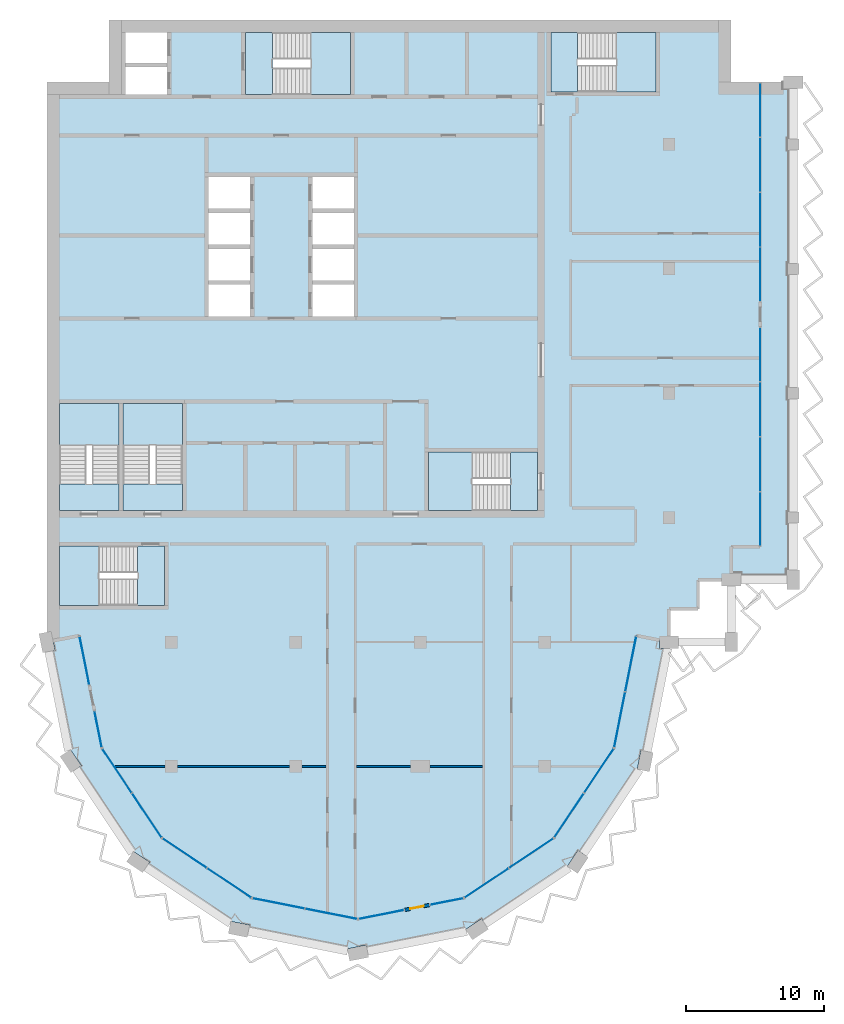
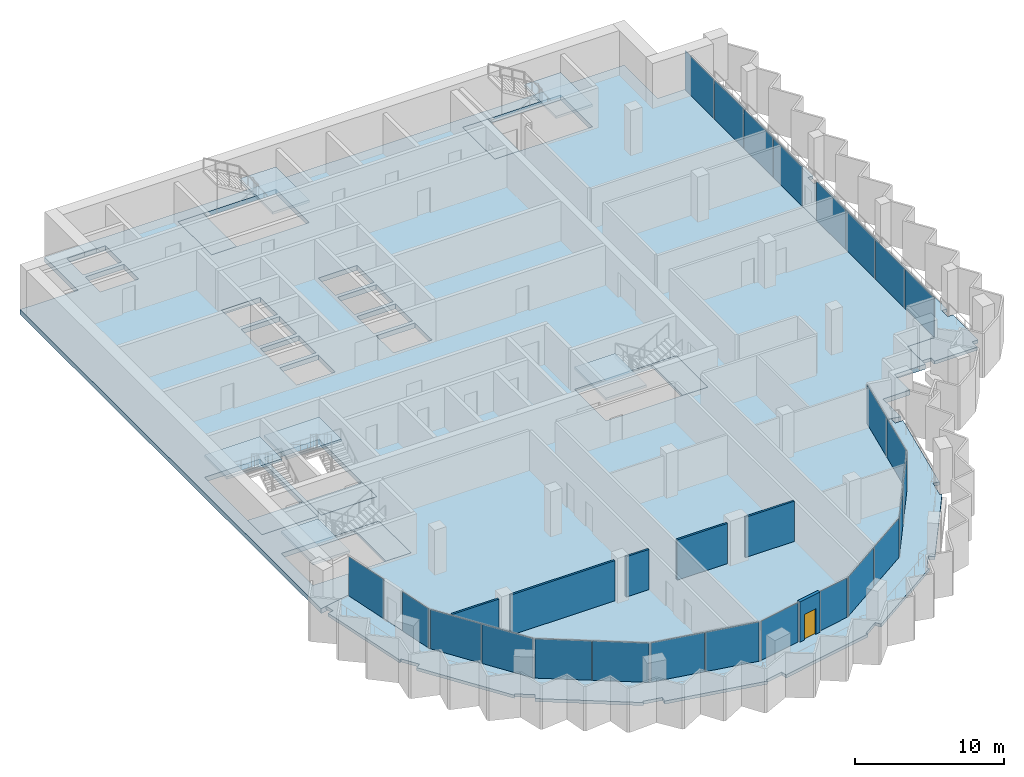
# One storey, part 6 of 14: 24 plates, 15 slabs, 6 walls, 1 door, 1 opening, 18 elements without a shape of their own.
"""IFC4 building model written with IfcOpenShell, lengths in metres."""

from ifc_helpers import new_model, si_unit, direction, frame, frame_2d, origin, origin_2d, place, context, subcontext, project, spatial, polyline, rectangle, outline, extrude, material, layer, layer_set, type_object, element, fill, aggregate, save


model = new_model("IFC4")

# Units and contexts
model_context = context("Model", 3, precision=1e-05, world=origin(), true_north=direction((0.0, 1.0)))
body_context = subcontext(model_context, "Body", "Model", "MODEL_VIEW")
ifc_project = project(units=[si_unit("LENGTHUNIT", "METRE"), si_unit("AREAUNIT", "SQUARE_METRE"), si_unit("VOLUMEUNIT", "CUBIC_METRE"), si_unit("PLANEANGLEUNIT", "RADIAN"), si_unit("MASSUNIT", "GRAM", prefix="KILO")], contexts=[model_context])

# Site, building, storey
site_placement = place(None, origin())
site = spatial("IfcSite", under=ifc_project, at=site_placement, CompositionType="ELEMENT")
building_placement = place(site_placement, origin())
building = spatial("IfcBuilding", under=site, at=building_placement, Name="Hunhe Ridgeline Campus", CompositionType="ELEMENT")
storey_placement = place(building_placement, frame((0.0, 0.0, 288.199951171875)))
storey = spatial("IfcBuildingStorey", under=building, at=storey_placement, Name="L74", CompositionType="ELEMENT", Elevation=288.199951171875)

# Curtain wall, plate
ifc_material_1 = material(Name="Aluminium 6063", Category="aluminium")
curtain_wall_type_1 = type_object("IfcCurtainWallType", Name="Curtain wall CW-5", PredefinedType="NOTDEFINED", material=ifc_material_1)
curtain_wall_1_placement = place(storey_placement, origin())
curtain_wall_1 = element("IfcCurtainWall", 1, at=curtain_wall_1_placement, inside=storey, type_object=curtain_wall_type_1, Name="Curtain wall 01", PredefinedType="NOTDEFINED")
ifc_material_2 = material(Name="Low-e laminated glass", Category="glass")
ifc_layer_1 = layer(ifc_material_2, 0.028076171875)
ifc_layer_set_1 = layer_set([ifc_layer_1], Name="Curtain wall glass panel 28 low-e laminated")
plate_type = type_object("IfcPlateType", Name="Curtain wall glass panel 28 low-e laminated", PredefinedType="CURTAIN_PANEL", material=ifc_layer_set_1)
plate_1_placement = place(storey_placement, frame((2.7158203125, 52.65380859375, 0.0), z_axis=(0.0, 0.0, 1.0), x_axis=(0.195095326561, -0.980784284924, 0.0)))
plate_1 = element("IfcPlate", 2, at=plate_1_placement, type_object=plate_type, Name="CW-5 panel 1", PredefinedType="CURTAIN_PANEL", context=body_context, shape_type="SweptSolid", body=[
    extrude(rectangle(XDim=3.560791015625, YDim=0.028076171875, at=origin_2d()), origin(), (0.0, 0.0, 1.0), 3.22998046875),
])
aggregate(curtain_wall_1, [plate_1])

curtain_wall_2_placement = place(storey_placement, origin())
curtain_wall_2 = element("IfcCurtainWall", 3, at=curtain_wall_2_placement, inside=storey, type_object=curtain_wall_type_1, Name="Curtain wall 02", PredefinedType="NOTDEFINED")
plate_2_placement = place(storey_placement, frame((3.701171875, 47.699951171875, 0.0), z_axis=(0.0, 0.0, 1.0), x_axis=(0.195095265587, -0.980784297053, 0.0)))
plate_2 = element("IfcPlate", 4, at=plate_2_placement, type_object=plate_type, Name="CW-5 panel 1", PredefinedType="CURTAIN_PANEL", context=body_context, shape_type="SweptSolid", body=[
    extrude(rectangle(XDim=2.660888671875, YDim=0.028076171875, at=origin_2d()), origin(), (0.0, 0.0, 1.0), 3.22998046875),
])
aggregate(curtain_wall_2, [plate_2])

# Curtain wall, plates
curtain_wall_3_placement = place(storey_placement, origin())
curtain_wall_3 = element("IfcCurtainWall", 5, at=curtain_wall_3_placement, inside=storey, type_object=curtain_wall_type_1, Name="Curtain wall 03", PredefinedType="NOTDEFINED")
plate_3_placement = place(storey_placement, frame((5.07080078125, 44.685546875, 0.0), z_axis=(0.0, 0.0, 1.0), x_axis=(0.555570274596, -0.831469584522, 0.0)))
plate_3 = element("IfcPlate", 6, at=plate_3_placement, type_object=plate_type, Name="CW-5 panel 1", PredefinedType="CURTAIN_PANEL", context=body_context, shape_type="SweptSolid", body=[
    extrude(rectangle(XDim=3.806884765625, YDim=0.028076171875, at=origin_2d()), origin(), (0.0, 0.0, 1.0), 3.22998046875),
])
plate_4_placement = place(storey_placement, frame((7.224609375, 41.4619140625, 0.0), z_axis=(0.0, 0.0, 1.0), x_axis=(0.555570274596, -0.831469584522, 0.0)))
plate_4 = element("IfcPlate", 7, at=plate_4_placement, type_object=plate_type, Name="CW-5 panel 2", PredefinedType="CURTAIN_PANEL", context=body_context, shape_type="SweptSolid", body=[
    extrude(rectangle(XDim=3.806884765625, YDim=0.028076171875, at=origin_2d()), origin(), (0.0, 0.0, 1.0), 3.22998046875),
])
aggregate(curtain_wall_3, [plate_3, plate_4])

curtain_wall_4_placement = place(storey_placement, origin())
curtain_wall_4 = element("IfcCurtainWall", 8, at=curtain_wall_4_placement, inside=storey, type_object=curtain_wall_type_1, Name="Curtain wall 04", PredefinedType="NOTDEFINED")
plate_5_placement = place(storey_placement, frame((9.9619140625, 38.724609375, 0.0), z_axis=(0.0, 0.0, 1.0), x_axis=(0.831469584522, -0.555570274596, 0.0)))
plate_5 = element("IfcPlate", 9, at=plate_5_placement, type_object=plate_type, Name="CW-5 panel 1", PredefinedType="CURTAIN_PANEL", context=body_context, shape_type="SweptSolid", body=[
    extrude(rectangle(XDim=3.806884765625, YDim=0.028076171875, at=origin_2d()), origin(), (0.0, 0.0, 1.0), 3.22998046875),
])
plate_6_placement = place(storey_placement, frame((13.185546875, 36.57080078125, 0.0), z_axis=(0.0, 0.0, 1.0), x_axis=(0.831469584522, -0.555570274596, 0.0)))
plate_6 = element("IfcPlate", 10, at=plate_6_placement, type_object=plate_type, Name="CW-5 panel 2", PredefinedType="CURTAIN_PANEL", context=body_context, shape_type="SweptSolid", body=[
    extrude(rectangle(XDim=3.806884765625, YDim=0.028076171875, at=origin_2d()), origin(), (0.0, 0.0, 1.0), 3.22998046875),
])
aggregate(curtain_wall_4, [plate_5, plate_6])

curtain_wall_5_placement = place(storey_placement, origin())
curtain_wall_5 = element("IfcCurtainWall", 11, at=curtain_wall_5_placement, inside=storey, type_object=curtain_wall_type_1, Name="Curtain wall 05", PredefinedType="NOTDEFINED")
plate_7_placement = place(storey_placement, frame((16.761962890625, 35.08935546875, 0.0), z_axis=(0.0, 0.0, 1.0), x_axis=(0.980785275326, -0.195090347539, 0.0)))
plate_7 = element("IfcPlate", 12, at=plate_7_placement, type_object=plate_type, Name="CW-5 panel 1", PredefinedType="CURTAIN_PANEL", context=body_context, shape_type="SweptSolid", body=[
    extrude(rectangle(XDim=3.806884765625, YDim=0.028076171875, at=origin_2d()), origin(), (0.0, 0.0, 1.0), 3.22998046875),
])
plate_8_placement = place(storey_placement, frame((20.564453125, 34.3330078125, 0.0), z_axis=(0.0, 0.0, 1.0), x_axis=(0.980785275326, -0.195090347539, 0.0)))
plate_8 = element("IfcPlate", 13, at=plate_8_placement, type_object=plate_type, Name="CW-5 panel 2", PredefinedType="CURTAIN_PANEL", context=body_context, shape_type="SweptSolid", body=[
    extrude(rectangle(XDim=3.806884765625, YDim=0.028076171875, at=origin_2d()), origin(), (0.0, 0.0, 1.0), 3.22998046875),
])
aggregate(curtain_wall_5, [plate_7, plate_8])

# Curtain wall, plate
curtain_wall_6_placement = place(storey_placement, origin())
curtain_wall_6 = element("IfcCurtainWall", 14, at=curtain_wall_6_placement, inside=storey, type_object=curtain_wall_type_1, Name="Curtain wall 06", PredefinedType="NOTDEFINED")
plate_9_placement = place(storey_placement, frame((24.19775390625, 34.28564453125, 0.0), z_axis=(0.0, 0.0, 1.0), x_axis=(0.980785270791, 0.19509037034, 0.0)))
plate_9 = element("IfcPlate", 15, at=plate_9_placement, type_object=plate_type, Name="CW-5 panel 1", PredefinedType="CURTAIN_PANEL", context=body_context, shape_type="SweptSolid", body=[
    extrude(rectangle(XDim=3.322021484375, YDim=0.028076171875, at=origin_2d()), origin(), (0.0, 0.0, 1.0), 3.22998046875),
])
aggregate(curtain_wall_6, [plate_9])

curtain_wall_7_placement = place(storey_placement, origin())
curtain_wall_7 = element("IfcCurtainWall", 16, at=curtain_wall_7_placement, inside=storey, type_object=curtain_wall_type_1, Name="Curtain wall 07", PredefinedType="NOTDEFINED")
plate_10_placement = place(storey_placement, frame((28.917236328125, 35.224609375, 0.0), z_axis=(0.0, 0.0, 1.0), x_axis=(0.980785242091, 0.195090514627, 0.0)))
plate_10 = element("IfcPlate", 17, at=plate_10_placement, type_object=plate_type, Name="CW-5 panel 1", PredefinedType="CURTAIN_PANEL", context=body_context, shape_type="SweptSolid", body=[
    extrude(rectangle(XDim=2.421875, YDim=0.028076171875, at=origin_2d()), origin(), (0.0, 0.0, 1.0), 3.22998046875),
])
aggregate(curtain_wall_7, [plate_10])

# Curtain wall, plates
curtain_wall_8_placement = place(storey_placement, origin())
curtain_wall_8 = element("IfcCurtainWall", 18, at=curtain_wall_8_placement, inside=storey, type_object=curtain_wall_type_1, Name="Curtain wall 08", PredefinedType="NOTDEFINED")
plate_11_placement = place(storey_placement, frame((31.814453125, 36.57080078125, 0.0), z_axis=(0.0, 0.0, 1.0), x_axis=(0.831469584522, 0.555570274596, 0.0)))
plate_11 = element("IfcPlate", 19, at=plate_11_placement, type_object=plate_type, Name="CW-5 panel 1", PredefinedType="CURTAIN_PANEL", context=body_context, shape_type="SweptSolid", body=[
    extrude(rectangle(XDim=3.806884765625, YDim=0.028076171875, at=origin_2d()), origin(), (0.0, 0.0, 1.0), 3.22998046875),
])
plate_12_placement = place(storey_placement, frame((35.0380859375, 38.724609375, 0.0), z_axis=(0.0, 0.0, 1.0), x_axis=(0.831469584522, 0.555570274596, 0.0)))
plate_12 = element("IfcPlate", 20, at=plate_12_placement, type_object=plate_type, Name="CW-5 panel 2", PredefinedType="CURTAIN_PANEL", context=body_context, shape_type="SweptSolid", body=[
    extrude(rectangle(XDim=3.806884765625, YDim=0.028076171875, at=origin_2d()), origin(), (0.0, 0.0, 1.0), 3.22998046875),
])
aggregate(curtain_wall_8, [plate_11, plate_12])

curtain_wall_9_placement = place(storey_placement, origin())
curtain_wall_9 = element("IfcCurtainWall", 21, at=curtain_wall_9_placement, inside=storey, type_object=curtain_wall_type_1, Name="Curtain wall 09", PredefinedType="NOTDEFINED")
plate_13_placement = place(storey_placement, frame((37.775390625, 41.4619140625, 0.0), z_axis=(0.0, 0.0, 1.0), x_axis=(0.555570274596, 0.831469584522, 0.0)))
plate_13 = element("IfcPlate", 22, at=plate_13_placement, type_object=plate_type, Name="CW-5 panel 1", PredefinedType="CURTAIN_PANEL", context=body_context, shape_type="SweptSolid", body=[
    extrude(rectangle(XDim=3.806884765625, YDim=0.028076171875, at=origin_2d()), origin(), (0.0, 0.0, 1.0), 3.22998046875),
])
plate_14_placement = place(storey_placement, frame((39.92919921875, 44.685546875, 0.0), z_axis=(0.0, 0.0, 1.0), x_axis=(0.555570274596, 0.831469584522, 0.0)))
plate_14 = element("IfcPlate", 23, at=plate_14_placement, type_object=plate_type, Name="CW-5 panel 2", PredefinedType="CURTAIN_PANEL", context=body_context, shape_type="SweptSolid", body=[
    extrude(rectangle(XDim=3.806884765625, YDim=0.028076171875, at=origin_2d()), origin(), (0.0, 0.0, 1.0), 3.22998046875),
])
aggregate(curtain_wall_9, [plate_13, plate_14])

curtain_wall_10_placement = place(storey_placement, origin())
curtain_wall_10 = element("IfcCurtainWall", 24, at=curtain_wall_10_placement, inside=storey, type_object=curtain_wall_type_1, Name="Curtain wall 10", PredefinedType="NOTDEFINED")
plate_15_placement = place(storey_placement, frame((41.433837890625, 48.379150390625, 0.0), z_axis=(0.0, 0.0, 1.0), x_axis=(0.19510421996, 0.980782515828, 0.0)))
plate_15 = element("IfcPlate", 25, at=plate_15_placement, type_object=plate_type, Name="CW-5 panel 1", PredefinedType="CURTAIN_PANEL", context=body_context, shape_type="SweptSolid", body=[
    extrude(rectangle(XDim=4.0458984375, YDim=0.028076171875, at=origin_2d()), origin(), (0.0, 0.0, 1.0), 3.22998046875),
])
plate_16_placement = place(storey_placement, frame((42.237060546875, 52.416015625, 0.0), z_axis=(0.0, 0.0, 1.0), x_axis=(0.19510421996, 0.980782515828, 0.0)))
plate_16 = element("IfcPlate", 26, at=plate_16_placement, type_object=plate_type, Name="CW-5 panel 2", PredefinedType="CURTAIN_PANEL", context=body_context, shape_type="SweptSolid", body=[
    extrude(rectangle(XDim=4.0458984375, YDim=0.028076171875, at=origin_2d()), origin(), (0.0, 0.0, 1.0), 3.22998046875),
])
aggregate(curtain_wall_10, [plate_15, plate_16])

curtain_wall_type_2 = type_object("IfcCurtainWallType", Name="Curtain wall CW-1", PredefinedType="NOTDEFINED", material=ifc_material_1)
curtain_wall_11_placement = place(storey_placement, origin())
curtain_wall_11 = element("IfcCurtainWall", 27, at=curtain_wall_11_placement, inside=storey, type_object=curtain_wall_type_2, Name="Curtain wall 11", PredefinedType="NOTDEFINED")
plate_17_placement = place(storey_placement, frame((51.59912109375, 62.9033203125, 0.0), z_axis=(0.0, 0.0, 1.0), x_axis=(0.0, 1.0, 0.0)))
plate_17 = element("IfcPlate", 28, at=plate_17_placement, type_object=plate_type, Name="CW-1 panel 1", PredefinedType="CURTAIN_PANEL", context=body_context, shape_type="SweptSolid", body=[
    extrude(rectangle(XDim=3.884765625, YDim=0.028076171875, at=origin_2d()), origin(), (0.0, 0.0, 1.0), 3.239990234375),
])
plate_18_placement = place(storey_placement, frame((51.59912109375, 66.86328125, 0.0), z_axis=(0.0, 0.0, 1.0), x_axis=(0.0, 1.0, 0.0)))
plate_18 = element("IfcPlate", 29, at=plate_18_placement, type_object=plate_type, Name="CW-1 panel 2", PredefinedType="CURTAIN_PANEL", context=body_context, shape_type="SweptSolid", body=[
    extrude(rectangle(XDim=3.914794921875, YDim=0.028076171875, at=origin_2d()), origin(), (0.0, 0.0, 1.0), 3.239990234375),
])
plate_19_placement = place(storey_placement, frame((51.59912109375, 70.838134765625, 0.0), z_axis=(0.0, 0.0, 1.0), x_axis=(0.0, 1.0, 0.0)))
plate_19 = element("IfcPlate", 30, at=plate_19_placement, type_object=plate_type, Name="CW-1 panel 3", PredefinedType="CURTAIN_PANEL", context=body_context, shape_type="SweptSolid", body=[
    extrude(rectangle(XDim=3.914794921875, YDim=0.028076171875, at=origin_2d()), origin(), (0.0, 0.0, 1.0), 3.239990234375),
])
plate_20_placement = place(storey_placement, frame((51.59912109375, 74.798095703125, 0.0), z_axis=(0.0, 0.0, 1.0), x_axis=(0.0, 1.0, 0.0)))
plate_20 = element("IfcPlate", 31, at=plate_20_placement, type_object=plate_type, Name="CW-1 panel 4", PredefinedType="CURTAIN_PANEL", context=body_context, shape_type="SweptSolid", body=[
    extrude(rectangle(XDim=3.884765625, YDim=0.028076171875, at=origin_2d()), origin(), (0.0, 0.0, 1.0), 3.239990234375),
])
aggregate(curtain_wall_11, [plate_17, plate_18, plate_19, plate_20])

curtain_wall_12_placement = place(storey_placement, origin())
curtain_wall_12 = element("IfcCurtainWall", 32, at=curtain_wall_12_placement, inside=storey, type_object=curtain_wall_type_2, Name="Curtain wall 12", PredefinedType="NOTDEFINED")
plate_21_placement = place(storey_placement, frame((51.59912109375, 80.60302734375, 0.0), z_axis=(0.0, 0.0, 1.0), x_axis=(0.0, 1.0, 0.0)))
plate_21 = element("IfcPlate", 33, at=plate_21_placement, type_object=plate_type, Name="CW-1 panel 1", PredefinedType="CURTAIN_PANEL", context=body_context, shape_type="SweptSolid", body=[
    extrude(rectangle(XDim=3.884765625, YDim=0.028076171875, at=origin_2d()), origin(), (0.0, 0.0, 1.0), 3.239990234375),
])
plate_22_placement = place(storey_placement, frame((51.59912109375, 84.562744140625, 0.0), z_axis=(0.0, 0.0, 1.0), x_axis=(0.0, 1.0, 0.0)))
plate_22 = element("IfcPlate", 34, at=plate_22_placement, type_object=plate_type, Name="CW-1 panel 2", PredefinedType="CURTAIN_PANEL", context=body_context, shape_type="SweptSolid", body=[
    extrude(rectangle(XDim=3.914794921875, YDim=0.028076171875, at=origin_2d()), origin(), (0.0, 0.0, 1.0), 3.239990234375),
])
plate_23_placement = place(storey_placement, frame((51.59912109375, 88.53759765625, 0.0), z_axis=(0.0, 0.0, 1.0), x_axis=(0.0, 1.0, 0.0)))
plate_23 = element("IfcPlate", 35, at=plate_23_placement, type_object=plate_type, Name="CW-1 panel 3", PredefinedType="CURTAIN_PANEL", context=body_context, shape_type="SweptSolid", body=[
    extrude(rectangle(XDim=3.914794921875, YDim=0.028076171875, at=origin_2d()), origin(), (0.0, 0.0, 1.0), 3.239990234375),
])
plate_24_placement = place(storey_placement, frame((51.59912109375, 92.49755859375, 0.0), z_axis=(0.0, 0.0, 1.0), x_axis=(0.0, 1.0, 0.0)))
plate_24 = element("IfcPlate", 36, at=plate_24_placement, type_object=plate_type, Name="CW-1 panel 4", PredefinedType="CURTAIN_PANEL", context=body_context, shape_type="SweptSolid", body=[
    extrude(rectangle(XDim=3.884765625, YDim=0.028076171875, at=origin_2d()), origin(), (0.0, 0.0, 1.0), 3.239990234375),
])
aggregate(curtain_wall_12, [plate_21, plate_22, plate_23, plate_24])

# Slabs
ifc_material_3 = material(Name="Concrete C40", Category="concrete")
ifc_layer_2 = layer(ifc_material_3, 0.39990234375)
ifc_layer_set_2 = layer_set([ifc_layer_2], Name="Floor slab 400 Concrete C40")
slab_type_1 = type_object("IfcSlabType", Name="Floor slab 400 Concrete C40", PredefinedType="FLOOR", material=ifc_layer_set_2)
slab_1_placement = place(storey_placement, frame((0.0, 0.0, -0.39990234375)))
element("IfcSlab", 37, at=slab_1_placement, inside=storey, type_object=slab_type_1, Name="Floor slab L74 1", PredefinedType="FLOOR", context=body_context, shape_type="SweptSolid", body=[
    extrude(outline(polyline([(36.678955078125, 39.821044921875), (41.025634765625, 46.326416015625), (42.645263671875, 54.46875), (44.9990234375, 54.001220703125), (44.999267578125, 56.400634765625), (47.09912109375, 56.40087890625), (47.099609375, 58.5009765625), (49.4990234375, 58.5009765625), (49.49951171875, 60.90087890625), (51.59912109375, 60.90087890625), (51.59912109375, 94.5), (49.5, 94.5), (49.5, 99.0), (4.5, 99.0), (4.5, 94.5), (0.0, 94.5), (0.0, 54.0009765625), (2.354736328125, 54.46875), (3.974365234375, 46.326416015625), (8.321044921875, 39.821044921875), (14.826416015625, 35.474365234375), (22.5, 33.947998046875), (30.173583984375, 35.474365234375), (36.678955078125, 39.821044921875)]), holes=[polyline([(44.050048828125, 98.10009765625), (36.449951171875, 98.10009765625), (36.449951171875, 93.800048828125), (44.050048828125, 93.800048828125), (44.050048828125, 98.10009765625)]), polyline([(27.60009765625, 67.75), (27.60009765625, 63.5), (35.5, 63.5), (35.5, 67.75), (27.60009765625, 67.75)]), polyline([(22.199951171875, 85.35009765625), (22.199951171875, 87.64990234375), (19.199951171875, 87.64990234375), (19.199951171875, 85.35009765625), (22.199951171875, 85.35009765625)]), polyline([(22.199951171875, 85.050048828125), (19.199951171875, 85.050048828125), (19.199951171875, 82.75), (22.199951171875, 82.75), (22.199951171875, 85.050048828125)]), polyline([(19.199951171875, 82.449951171875), (19.199951171875, 80.14990234375), (22.199951171875, 80.14990234375), (22.199951171875, 82.449951171875), (19.199951171875, 82.449951171875)]), polyline([(19.199951171875, 77.550048828125), (22.199951171875, 77.550048828125), (22.199951171875, 79.85009765625), (19.199951171875, 79.85009765625), (19.199951171875, 77.550048828125)]), polyline([(21.949951171875, 98.10009765625), (14.35009765625, 98.10009765625), (14.35009765625, 93.60009765625), (21.949951171875, 93.60009765625), (21.949951171875, 98.10009765625)]), polyline([(14.699951171875, 85.35009765625), (14.699951171875, 87.64990234375), (11.699951171875, 87.64990234375), (11.699951171875, 85.35009765625), (14.699951171875, 85.35009765625)]), polyline([(14.699951171875, 85.050048828125), (11.699951171875, 85.050048828125), (11.699951171875, 82.75), (14.699951171875, 82.75), (14.699951171875, 85.050048828125)]), polyline([(11.699951171875, 82.449951171875), (11.699951171875, 80.14990234375), (14.699951171875, 80.14990234375), (14.699951171875, 82.449951171875), (11.699951171875, 82.449951171875)]), polyline([(11.699951171875, 77.550048828125), (14.699951171875, 77.550048828125), (14.699951171875, 79.85009765625), (11.699951171875, 79.85009765625), (11.699951171875, 77.550048828125)]), polyline([(5.5, 63.5), (9.800048828125, 63.5), (9.800048828125, 71.25), (5.5, 71.25), (5.5, 63.5)]), polyline([(5.699951171875, 98.10009765625), (5.699951171875, 95.89990234375), (8.699951171875, 95.89990234375), (8.699951171875, 98.10009765625), (5.699951171875, 98.10009765625)]), polyline([(5.699951171875, 93.60009765625), (8.699951171875, 93.60009765625), (8.699951171875, 95.60009765625), (5.699951171875, 95.60009765625), (5.699951171875, 93.60009765625)]), polyline([(0.89990234375, 60.949951171875), (0.89990234375, 56.64990234375), (8.5, 56.64990234375), (8.5, 60.949951171875), (0.89990234375, 60.949951171875)]), polyline([(5.199951171875, 63.5), (5.199951171875, 71.25), (0.89990234375, 71.25), (0.89990234375, 63.5), (5.199951171875, 63.5)])]), origin(), (0.0, 0.0, 1.0), 0.39990234375),
])
ifc_layer_3 = layer(ifc_material_3, 0.25)
ifc_layer_set_3 = layer_set([ifc_layer_3], Name="Loggia slab 250 Concrete C40")
slab_type_2 = type_object("IfcSlabType", Name="Loggia slab 250 Concrete C40", PredefinedType="FLOOR", material=ifc_layer_set_3)
slab_2_placement = place(storey_placement, frame((0.0, 0.0, -0.25)))
element("IfcSlab", 38, at=slab_2_placement, inside=storey, type_object=slab_type_2, Name="Loggia slab 1", PredefinedType="FLOOR", context=body_context, shape_type="SweptSolid", body=[
    extrude(outline(polyline([(30.173828125, 35.473388671875), (22.5, 33.947021484375), (14.826171875, 35.473388671875), (8.3203125, 39.8203125), (3.973388671875, 46.326171875), (2.35400390625, 54.46826171875), (0.44140625, 54.087890625), (0.577880859375, 53.401123046875), (0.136474609375, 53.3134765625), (1.56494140625, 46.1328125), (1.697998046875, 46.2216796875), (2.475830078125, 45.0576171875), (2.1015625, 44.8076171875), (6.169189453125, 38.719970703125), (6.258056640625, 38.853271484375), (7.422119140625, 38.075439453125), (7.172119140625, 37.701171875), (13.259521484375, 33.633544921875), (13.290771484375, 33.79052734375), (14.6640625, 33.517578125), (14.576171875, 33.076171875), (21.7568359375, 31.647705078125), (21.7255859375, 31.8046875), (23.098876953125, 32.077880859375), (23.1865234375, 31.636474609375), (30.3671875, 33.06494140625), (30.2783203125, 33.197998046875), (31.4423828125, 33.975830078125), (31.6923828125, 33.6015625), (37.780029296875, 37.669189453125), (37.646728515625, 37.758056640625), (38.424560546875, 38.922119140625), (38.798828125, 38.672119140625), (42.866455078125, 44.759521484375), (42.70947265625, 44.790771484375), (42.982421875, 46.1640625), (43.423828125, 46.076171875), (44.910400390625, 53.550048828125), (44.300048828125, 53.550048828125), (44.300048828125, 54.13916015625), (42.64599609375, 54.46826171875), (41.026611328125, 46.326171875), (36.6796875, 39.8203125), (30.173828125, 35.473388671875)])), origin(), (0.0, 0.0, 1.0), 0.25),
])
slab_3_placement = place(storey_placement, frame((0.0, 0.0, -0.25)))
element("IfcSlab", 39, at=slab_3_placement, inside=storey, type_object=slab_type_2, Name="Loggia slab 2", PredefinedType="FLOOR", context=body_context, shape_type="SweptSolid", body=[
    extrude(outline(polyline([(49.5, 58.949951171875), (50.199951171875, 58.949951171875), (50.199951171875, 58.5), (53.550048828125, 58.5), (53.550048828125, 59.199951171875), (54.0, 59.199951171875), (54.0, 62.60009765625), (53.60009765625, 62.60009765625), (53.60009765625, 63.39990234375), (54.0, 63.39990234375), (54.0, 71.60009765625), (53.60009765625, 71.60009765625), (53.60009765625, 72.39990234375), (54.0, 72.39990234375), (54.0, 80.60009765625), (53.60009765625, 80.60009765625), (53.60009765625, 81.39990234375), (54.0, 81.39990234375), (54.0, 89.60009765625), (53.60009765625, 89.60009765625), (53.60009765625, 90.39990234375), (54.0, 90.39990234375), (54.0, 94.050048828125), (53.300048828125, 94.050048828125), (53.300048828125, 94.5), (51.60009765625, 94.5), (51.60009765625, 60.89990234375), (49.5, 60.89990234375), (49.5, 58.949951171875)])), origin(), (0.0, 0.0, 1.0), 0.25),
])

# Stair, slab
stair_type = type_object("IfcStairType", Name="Reinforced concrete dog-leg stair 1950 Concrete C40", PredefinedType="HALF_TURN_STAIR", material=ifc_material_3)
stair_1_placement = place(storey_placement, origin())
stair_1 = element("IfcStair", 40, at=stair_1_placement, inside=storey, type_object=stair_type, Name="L74 S1", PredefinedType="HALF_TURN_STAIR")
ifc_layer_4 = layer(ifc_material_3, 0.199951171875)
ifc_layer_set_4 = layer_set([ifc_layer_4], Name="Reinforced concrete stair landing 200 Concrete C40")
slab_type_3 = type_object("IfcSlabType", Name="Reinforced concrete stair landing 200 Concrete C40", PredefinedType="LANDING", material=ifc_layer_set_4)
slab_4_placement = place(storey_placement, frame((0.0, 0.0, 1.650146484375)))
slab_4 = element("IfcSlab", 41, at=slab_4_placement, type_object=slab_type_3, Name="ST1 landing 1", PredefinedType="LANDING", context=body_context, shape_type="SweptSolid", body=[
    extrude(outline(polyline([(19.10009765625, 93.60009765625), (21.949951171875, 93.60009765625), (21.949951171875, 98.10009765625), (19.10009765625, 98.10009765625), (19.10009765625, 93.60009765625)])), origin(), (0.0, 0.0, 1.0), 0.199951171875),
])
aggregate(stair_1, [slab_4])

# Slab
slab_5_placement = place(storey_placement, frame((0.0, 0.0, -0.199951171875)))
element("IfcSlab", 42, at=slab_5_placement, inside=storey, type_object=slab_type_3, Name="L74 stair S1 floor landing", PredefinedType="LANDING", context=body_context, shape_type="SweptSolid", body=[
    extrude(outline(polyline([(14.35009765625, 93.60009765625), (16.300048828125, 93.60009765625), (16.300048828125, 98.10009765625), (14.35009765625, 98.10009765625), (14.35009765625, 93.60009765625)])), origin(), (0.0, 0.0, 1.0), 0.199951171875),
])

# Stair, slab
stair_2_placement = place(storey_placement, origin())
stair_2 = element("IfcStair", 43, at=stair_2_placement, inside=storey, type_object=stair_type, Name="L74 S2", PredefinedType="HALF_TURN_STAIR")
slab_6_placement = place(storey_placement, frame((0.0, 0.0, 1.650146484375)))
slab_6 = element("IfcSlab", 44, at=slab_6_placement, type_object=slab_type_3, Name="ST2 landing 1", PredefinedType="LANDING", context=body_context, shape_type="SweptSolid", body=[
    extrude(outline(polyline([(30.75, 67.75), (27.60009765625, 67.75), (27.60009765625, 63.5), (30.75, 63.5), (30.75, 67.75)])), origin(), (0.0, 0.0, 1.0), 0.199951171875),
])
aggregate(stair_2, [slab_6])

# Slab
slab_7_placement = place(storey_placement, frame((0.0, 0.0, -0.199951171875)))
element("IfcSlab", 45, at=slab_7_placement, inside=storey, type_object=slab_type_3, Name="L74 stair S2 floor landing", PredefinedType="LANDING", context=body_context, shape_type="SweptSolid", body=[
    extrude(outline(polyline([(35.5, 67.75), (33.550048828125, 67.75), (33.550048828125, 63.5), (35.5, 63.5), (35.5, 67.75)])), origin(), (0.0, 0.0, 1.0), 0.199951171875),
])

# Stair, slab
stair_3_placement = place(storey_placement, origin())
stair_3 = element("IfcStair", 46, at=stair_3_placement, inside=storey, type_object=stair_type, Name="L74 S3", PredefinedType="HALF_TURN_STAIR")
slab_8_placement = place(storey_placement, frame((0.0, 0.0, 1.650146484375)))
slab_8 = element("IfcSlab", 47, at=slab_8_placement, type_object=slab_type_3, Name="ST3 landing 1", PredefinedType="LANDING", context=body_context, shape_type="SweptSolid", body=[
    extrude(outline(polyline([(5.199951171875, 68.25), (5.199951171875, 71.25), (0.89990234375, 71.25), (0.89990234375, 68.25), (5.199951171875, 68.25)])), origin(), (0.0, 0.0, 1.0), 0.199951171875),
])
aggregate(stair_3, [slab_8])

# Slab
slab_9_placement = place(storey_placement, frame((0.0, 0.0, -0.199951171875)))
element("IfcSlab", 48, at=slab_9_placement, inside=storey, type_object=slab_type_3, Name="L74 stair S3 floor landing", PredefinedType="LANDING", context=body_context, shape_type="SweptSolid", body=[
    extrude(outline(polyline([(5.199951171875, 63.5), (5.199951171875, 65.449951171875), (0.89990234375, 65.449951171875), (0.89990234375, 63.5), (5.199951171875, 63.5)])), origin(), (0.0, 0.0, 1.0), 0.199951171875),
])

# Stair, slab
stair_4_placement = place(storey_placement, origin())
stair_4 = element("IfcStair", 49, at=stair_4_placement, inside=storey, type_object=stair_type, Name="L74 S4", PredefinedType="HALF_TURN_STAIR")
slab_10_placement = place(storey_placement, frame((0.0, 0.0, 1.650146484375)))
slab_10 = element("IfcSlab", 50, at=slab_10_placement, type_object=slab_type_3, Name="ST4 landing 1", PredefinedType="LANDING", context=body_context, shape_type="SweptSolid", body=[
    extrude(outline(polyline([(9.800048828125, 68.25), (9.800048828125, 71.25), (5.5, 71.25), (5.5, 68.25), (9.800048828125, 68.25)])), origin(), (0.0, 0.0, 1.0), 0.199951171875),
])
aggregate(stair_4, [slab_10])

# Slab
slab_11_placement = place(storey_placement, frame((0.0, 0.0, -0.199951171875)))
element("IfcSlab", 51, at=slab_11_placement, inside=storey, type_object=slab_type_3, Name="L74 stair S4 floor landing", PredefinedType="LANDING", context=body_context, shape_type="SweptSolid", body=[
    extrude(outline(polyline([(9.800048828125, 63.5), (9.800048828125, 65.449951171875), (5.5, 65.449951171875), (5.5, 63.5), (9.800048828125, 63.5)])), origin(), (0.0, 0.0, 1.0), 0.199951171875),
])

# Stair, slab
stair_5_placement = place(storey_placement, origin())
stair_5 = element("IfcStair", 52, at=stair_5_placement, inside=storey, type_object=stair_type, Name="L74 E1", PredefinedType="HALF_TURN_STAIR")
slab_12_placement = place(storey_placement, frame((0.0, 0.0, 1.650146484375)))
slab_12 = element("IfcSlab", 53, at=slab_12_placement, type_object=slab_type_3, Name="ST5 landing 1", PredefinedType="LANDING", context=body_context, shape_type="SweptSolid", body=[
    extrude(outline(polyline([(41.199951171875, 93.800048828125), (44.050048828125, 93.800048828125), (44.050048828125, 98.10009765625), (41.199951171875, 98.10009765625), (41.199951171875, 93.800048828125)])), origin(), (0.0, 0.0, 1.0), 0.199951171875),
])
aggregate(stair_5, [slab_12])

# Slab
slab_13_placement = place(storey_placement, frame((0.0, 0.0, -0.199951171875)))
element("IfcSlab", 54, at=slab_13_placement, inside=storey, type_object=slab_type_3, Name="L74 stair E1 floor landing", PredefinedType="LANDING", context=body_context, shape_type="SweptSolid", body=[
    extrude(outline(polyline([(36.449951171875, 93.800048828125), (38.39990234375, 93.800048828125), (38.39990234375, 98.10009765625), (36.449951171875, 98.10009765625), (36.449951171875, 93.800048828125)])), origin(), (0.0, 0.0, 1.0), 0.199951171875),
])

# Stair, slab
stair_6_placement = place(storey_placement, origin())
stair_6 = element("IfcStair", 55, at=stair_6_placement, inside=storey, type_object=stair_type, Name="L74 W2", PredefinedType="HALF_TURN_STAIR")
slab_14_placement = place(storey_placement, frame((0.0, 0.0, 1.650146484375)))
slab_14 = element("IfcSlab", 56, at=slab_14_placement, type_object=slab_type_3, Name="ST12 landing 1", PredefinedType="LANDING", context=body_context, shape_type="SweptSolid", body=[
    extrude(outline(polyline([(3.75, 60.949951171875), (0.89990234375, 60.949951171875), (0.89990234375, 56.64990234375), (3.75, 56.64990234375), (3.75, 60.949951171875)])), origin(), (0.0, 0.0, 1.0), 0.199951171875),
])
aggregate(stair_6, [slab_14])

# Slab
slab_15_placement = place(storey_placement, frame((0.0, 0.0, -0.199951171875)))
element("IfcSlab", 57, at=slab_15_placement, inside=storey, type_object=slab_type_3, Name="L74 stair W2 floor landing", PredefinedType="LANDING", context=body_context, shape_type="SweptSolid", body=[
    extrude(outline(polyline([(8.5, 60.949951171875), (6.550048828125, 60.949951171875), (6.550048828125, 56.64990234375), (8.5, 56.64990234375), (8.5, 60.949951171875)])), origin(), (0.0, 0.0, 1.0), 0.199951171875),
])

# Wall, opening, door
ifc_material_4 = material(Name="Concrete C30", Category="concrete")
ifc_layer_5 = layer(ifc_material_4, 0.25)
ifc_layer_set_5 = layer_set([ifc_layer_5], Name="Loggia door pier wall 250 Concrete C30")
wall_type_1 = type_object("IfcWallType", Name="Loggia door pier wall 250 Concrete C30", PredefinedType="SOLIDWALL", material=ifc_layer_set_5)
wall_1_placement = place(storey_placement, frame((25.8955078125, 34.62353515625, 0.0), z_axis=(0.0, 0.0, 1.0), x_axis=(0.980793982239, 0.195046569833, 0.0)))
wall_1 = element("IfcWall", 58, at=wall_1_placement, inside=storey, type_object=wall_type_1, Name="Loggia door pier 2", PredefinedType="SOLIDWALL", context=body_context, shape_type="SweptSolid", body=[
    extrude(rectangle(XDim=1.800048828125, YDim=0.25, at=frame_2d((0.89990234375, 0.0))), origin(), (0.0, 0.0, 1.0), 3.300048828125),
])
opening_placement = place(wall_1_placement, frame((0.39990234375, 0.0, 0.0)))
opening = element("IfcOpeningElement", 59, at=opening_placement, cuts=wall_1, Name="Opening BD603", PredefinedType="OPENING", context=body_context, shape_type="SweptSolid", body=[
    extrude(rectangle(XDim=1.0, YDim=2.10009765625, at=frame_2d((0.5, 1.050048828125))), frame((0.0, 0.125, 0.0), z_axis=(0.0, -1.0, 0.0), x_axis=(1.0, 0.0, 0.0)), (0.0, 0.0, 1.0), 0.25),
])
door_type = type_object("IfcDoorType", Name="Loggia glazed door 1000x2100", OperationType="NOTDEFINED", PredefinedType="DOOR", material=ifc_material_1)
door_placement = place(opening_placement, frame((1.0, 0.0, 0.0), z_axis=(0.0, 0.0, 1.0), x_axis=(-1.0, 0.0, 0.0)))
door = element("IfcDoor", 60, at=door_placement, inside=storey, type_object=door_type, Name="Loggia door BD603", OperationType="SINGLE_SWING_RIGHT", OverallHeight=2.10009765625, OverallWidth=1.0, PredefinedType="DOOR", context=body_context, shape_type="SweptSolid", body=[
    extrude(rectangle(XDim=1.0, YDim=2.10009765625, at=frame_2d((0.5, 1.050048828125))), frame((0.0, 0.02490234375, 0.0), z_axis=(0.0, -1.0, 0.0), x_axis=(1.0, 0.0, 0.0)), (0.0, 0.0, 1.0), 0.050048828125),
])
fill(opening, door)

# Walls
ifc_material_5 = material(Name="Gypsum board partition")
ifc_layer_6 = layer(ifc_material_5, 0.14990234375)
ifc_layer_set_6 = layer_set([ifc_layer_6], Name="Room partition 150 gypsum board on steel studs")
wall_type_2 = type_object("IfcWallType", Name="Room partition 150 gypsum board on steel studs", PredefinedType="PARTITIONING", material=ifc_layer_set_6)
wall_2_placement = place(storey_placement, frame((4.925537109375, 45.0, 0.0), z_axis=(0.0, 0.0, 1.0), x_axis=(1.0, 0.0, 0.0)))
element("IfcWall", 61, at=wall_2_placement, inside=storey, type_object=wall_type_2, Name="F-L74-wall-001", PredefinedType="PARTITIONING", context=body_context, shape_type="SweptSolid", body=[
    extrude(rectangle(XDim=3.62451171875, YDim=0.14990234375, at=frame_2d((1.812255859375, 0.0))), origin(), (0.0, 0.0, 1.0), 3.300048828125),
])
wall_3_placement = place(storey_placement, frame((9.449951171875, 45.0, 0.0), z_axis=(0.0, 0.0, 1.0), x_axis=(1.0, 0.0, 0.0)))
element("IfcWall", 62, at=wall_3_placement, inside=storey, type_object=wall_type_2, Name="F-L74-wall-002", PredefinedType="PARTITIONING", context=body_context, shape_type="SweptSolid", body=[
    extrude(rectangle(XDim=8.10009765625, YDim=0.14990234375, at=frame_2d((4.050048828125, 0.0))), origin(), (0.0, 0.0, 1.0), 3.300048828125),
])
wall_4_placement = place(storey_placement, frame((18.449951171875, 45.0, 0.0), z_axis=(0.0, 0.0, 1.0), x_axis=(1.0, 0.0, 0.0)))
element("IfcWall", 63, at=wall_4_placement, inside=storey, type_object=wall_type_2, Name="F-L74-wall-003", PredefinedType="PARTITIONING", context=body_context, shape_type="SweptSolid", body=[
    extrude(rectangle(XDim=1.75, YDim=0.14990234375, at=frame_2d((0.875, 0.0))), origin(), (0.0, 0.0, 1.0), 3.300048828125),
])
wall_5_placement = place(storey_placement, frame((22.39990234375, 45.0, 0.0), z_axis=(0.0, 0.0, 1.0), x_axis=(1.0, 0.0, 0.0)))
element("IfcWall", 64, at=wall_5_placement, inside=storey, type_object=wall_type_2, Name="F-L74-wall-004", PredefinedType="PARTITIONING", context=body_context, shape_type="SweptSolid", body=[
    extrude(rectangle(XDim=3.900146484375, YDim=0.14990234375, at=frame_2d((1.9501953125, 0.0))), origin(), (0.0, 0.0, 1.0), 3.300048828125),
])
wall_6_placement = place(storey_placement, frame((27.699951171875, 45.0, 0.0), z_axis=(0.0, 0.0, 1.0), x_axis=(1.0, 0.0, 0.0)))
element("IfcWall", 65, at=wall_6_placement, inside=storey, type_object=wall_type_2, Name="F-L74-wall-005", PredefinedType="PARTITIONING", context=body_context, shape_type="SweptSolid", body=[
    extrude(rectangle(XDim=3.800048828125, YDim=0.14990234375, at=frame_2d((1.89990234375, 0.0))), origin(), (0.0, 0.0, 1.0), 3.300048828125),
])

save(model, "model.ifc")
